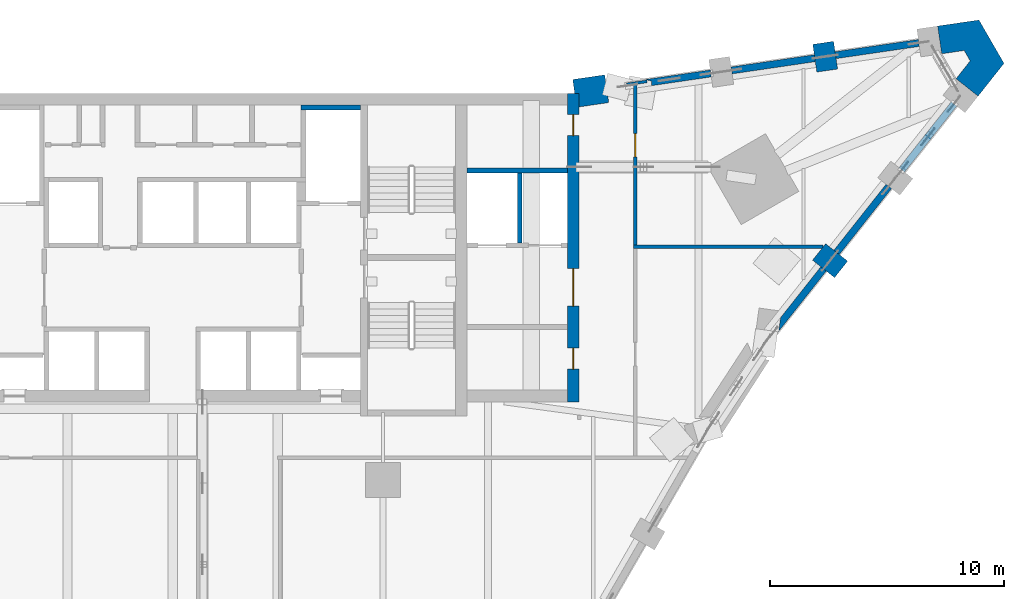
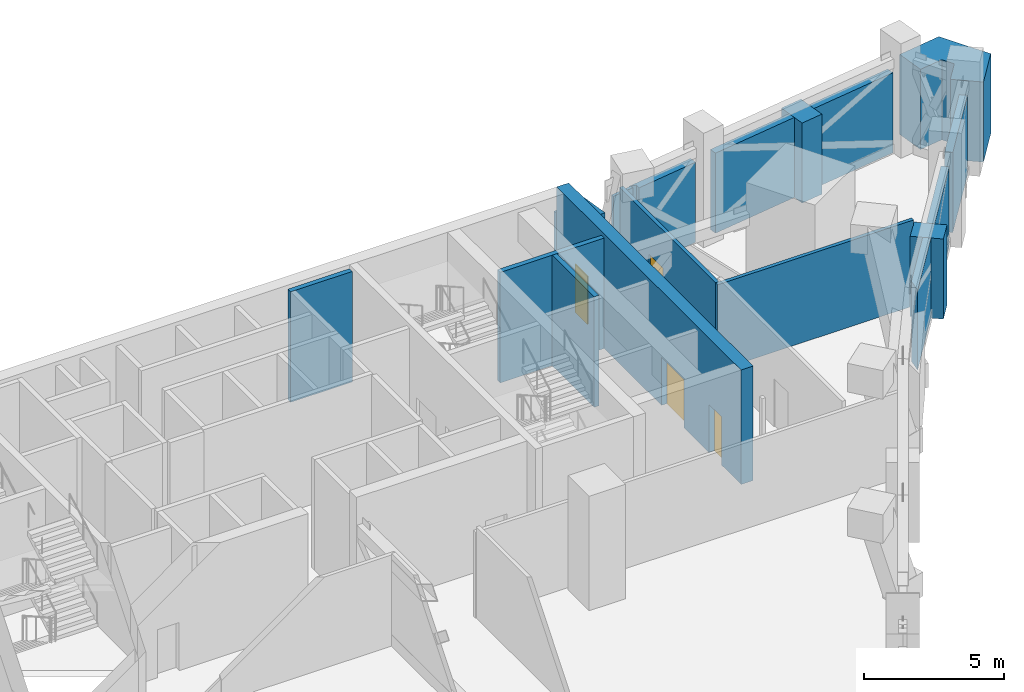
# One storey, part 11 of 20: 17 walls, 4 doors, 4 openings.
"""IFC4 building model written with IfcOpenShell, lengths in metres."""

from ifc_helpers import new_model, si_unit, direction, frame, frame_2d, origin, place, context, subcontext, project, spatial, polyline, rectangle, outline, extrude, material, layer, layer_set, type_object, element, fill, save


model = new_model("IFC4")

# Units and contexts
model_context = context("Model", 3, precision=1e-05, world=origin(), true_north=direction((0.0, 1.0)))
body_context = subcontext(model_context, "Body", "Model", "MODEL_VIEW")
ifc_project = project(units=[si_unit("LENGTHUNIT", "METRE"), si_unit("AREAUNIT", "SQUARE_METRE"), si_unit("VOLUMEUNIT", "CUBIC_METRE"), si_unit("PLANEANGLEUNIT", "RADIAN"), si_unit("MASSUNIT", "GRAM", prefix="KILO")], contexts=[model_context])

# Site, building, storey
site_placement = place(None, origin())
site = spatial("IfcSite", under=ifc_project, at=site_placement, CompositionType="ELEMENT")
building_placement = place(site_placement, origin())
building = spatial("IfcBuilding", under=site, at=building_placement, Name="Calabash Gate Tower", CompositionType="ELEMENT")
storey_placement = place(building_placement, frame((0.0, 0.0, 139.60009765625)))
storey = spatial("IfcBuildingStorey", under=building, at=storey_placement, Name="L32", CompositionType="ELEMENT", Elevation=139.60009765625)

# Walls
ifc_material_1 = material(Name="Terracotta brick masonry, exposed face", Category="masonry")
ifc_layer_1 = layer(ifc_material_1, 1.199951171875)
ifc_layer_set_1 = layer_set([ifc_layer_1], Name="Brick end wall 1200")
wall_type_1 = type_object("IfcWallType", Name="Brick end wall 1200", PredefinedType="SOLIDWALL", material=ifc_layer_set_1)
wall_1_placement = place(storey_placement, frame((28.6083984375, 11.5224609375, 0.0), z_axis=(0.0, 0.0, 1.0), x_axis=(-0.784408686564, 0.620244316736, 0.0)))
element("IfcWall", 1, at=wall_1_placement, inside=storey, type_object=wall_type_1, Name="Brick pier L32 wedge5.1", PredefinedType="SOLIDWALL", context=body_context, shape_type="SweptSolid", body=[
    extrude(rectangle(XDim=1.2001953125, YDim=0.89990234375, at=frame_2d((0.60009765625, 0.0))), origin(), (0.0, 0.0, 1.0), 3.5),
])
wall_2_placement = place(storey_placement, frame((27.84033203125, 21.217041015625, 0.0), z_axis=(0.0, 0.0, 1.0), x_axis=(0.145066385332, -0.989421924078, 0.0)))
element("IfcWall", 2, at=wall_2_placement, inside=storey, type_object=wall_type_1, Name="Brick pier L32 wedge7.1", PredefinedType="SOLIDWALL", context=body_context, shape_type="SweptSolid", body=[
    extrude(rectangle(XDim=1.199951171875, YDim=0.89990234375, at=frame_2d((0.60009765625, 0.0))), origin(), (0.0, 0.0, 1.0), 3.5),
])
wall_3_placement = place(storey_placement, origin())
element("IfcWall", 3, at=wall_3_placement, inside=storey, type_object=wall_type_1, Name="Brick end wall L32 5", PredefinedType="SOLIDWALL", context=body_context, shape_type="SweptSolid", body=[
    extrude(outline(polyline([(33.52880859375, 19.678955078125), (34.47021484375, 18.9345703125), (35.579833984375, 20.337890625), (34.50830078125, 22.1943359375), (32.73828125, 21.934814453125), (32.912109375, 20.74755859375), (33.876220703125, 20.888916015625), (34.13330078125, 20.443359375), (33.52880859375, 19.678955078125)])), origin(), (0.0, 0.0, 1.0), 3.5),
])
wall_4_placement = place(storey_placement, origin())
element("IfcWall", 4, at=wall_4_placement, inside=storey, type_object=wall_type_1, Name="Brick end wall L32 6", PredefinedType="SOLIDWALL", context=body_context, shape_type="SweptSolid", body=[
    extrude(outline(polyline([(18.664306640625, 18.6591796875), (18.490234375, 19.8466796875), (17.123046875, 19.646240234375), (17.2099609375, 19.052490234375), (17.39990234375, 19.052490234375), (17.39990234375, 18.473876953125), (18.664306640625, 18.6591796875)])), origin(), (0.0, 0.0, 1.0), 3.5),
])

# Wall, openings, doors
ifc_material_2 = material(Name="Concrete C80/95", Category="concrete")
ifc_layer_2 = layer(ifc_material_2, 0.5)
ifc_layer_set_2 = layer_set([ifc_layer_2], Name="Core wall 500 Concrete C80/95")
wall_type_2 = type_object("IfcWallType", Name="Core wall 500 Concrete C80/95", PredefinedType="SHEAR", material=ifc_layer_set_2)
wall_5_placement = place(storey_placement, frame((17.14990234375, 5.8525390625, 0.0), z_axis=(0.0, 0.0, 1.0), x_axis=(0.0, 1.0, 0.0)))
wall_5 = element("IfcWall", 5, at=wall_5_placement, inside=storey, type_object=wall_type_2, Name="Core wall Z2-ENDE L32", PredefinedType="SHEAR", context=body_context, shape_type="SweptSolid", body=[
    extrude(rectangle(XDim=13.199951171875, YDim=0.5, at=frame_2d((6.60009765625, 0.0))), origin(), (0.0, 0.0, 1.0), 5.0),
])
opening_1_placement = place(wall_5_placement, frame((4.10009765625, 0.0, 0.0)))
opening_1 = element("IfcOpeningElement", 6, at=opening_1_placement, cuts=wall_5, Name="Opening L32-018", PredefinedType="OPENING", context=body_context, shape_type="SweptSolid", body=[
    extrude(rectangle(XDim=1.60009765625, YDim=2.10009765625, at=frame_2d((0.800048828125, 1.050048828125))), frame((0.0, 0.260009765625, 0.0), z_axis=(0.0, -1.0, 0.0), x_axis=(1.0, 0.0, 0.0)), (0.0, 0.0, 1.0), 0.52001953125),
])
opening_2_placement = place(wall_5_placement, frame((1.39990234375, 0.0, 0.0)))
opening_2 = element("IfcOpeningElement", 7, at=opening_2_placement, cuts=wall_5, Name="Opening L32-019", PredefinedType="OPENING", context=body_context, shape_type="SweptSolid", body=[
    extrude(rectangle(XDim=0.89990234375, YDim=2.10009765625, at=frame_2d((0.449951171875, 1.050048828125))), frame((0.0, 0.260009765625, 0.0), z_axis=(0.0, -1.0, 0.0), x_axis=(1.0, 0.0, 0.0)), (0.0, 0.0, 1.0), 0.52001953125),
])
opening_3_placement = place(wall_5_placement, frame((11.3974609375, 0.0, 0.0)))
opening_3 = element("IfcOpeningElement", 8, at=opening_3_placement, cuts=wall_5, Name="Opening L32-020", PredefinedType="OPENING", context=body_context, shape_type="SweptSolid", body=[
    extrude(rectangle(XDim=0.89990234375, YDim=2.10009765625, at=frame_2d((0.449951171875, 1.050048828125))), frame((0.0, 0.260009765625, 0.0), z_axis=(0.0, -1.0, 0.0), x_axis=(1.0, 0.0, 0.0)), (0.0, 0.0, 1.0), 0.52001953125),
])
ifc_material_3 = material(Name="Steel fire door set with fire-resisting glazing", Category="steel")
door_type_1 = type_object("IfcDoorType", Name="Double fire door D08 1600x2100 FD60", OperationType="DOUBLE_DOOR_SINGLE_SWING", PredefinedType="DOOR", material=ifc_material_3)
door_1_placement = place(opening_1_placement, origin())
door_1 = element("IfcDoor", 9, at=door_1_placement, inside=storey, type_object=door_type_1, Name="Service Lift Lobby E door", OperationType="DOUBLE_DOOR_SINGLE_SWING", OverallHeight=2.10009765625, OverallWidth=1.60009765625, PredefinedType="DOOR", context=body_context, shape_type="SweptSolid", body=[
    extrude(rectangle(XDim=1.60009765625, YDim=2.10009765625, at=frame_2d((0.800048828125, 1.050048828125))), frame((0.0, 0.02490234375, 0.0), z_axis=(0.0, -1.0, 0.0), x_axis=(1.0, 0.0, 0.0)), (0.0, 0.0, 1.0), 0.050048828125),
])
fill(opening_1, door_1)
ifc_material_4 = material(Name="Steel fire door set with fire-resisting glazing", Category="steel")
door_type_2 = type_object("IfcDoorType", Name="Fire door D06 900x2100 FD60", OperationType="NOTDEFINED", PredefinedType="DOOR", material=ifc_material_4)
door_2_placement = place(opening_2_placement, origin())
door_2 = element("IfcDoor", 10, at=door_2_placement, inside=storey, type_object=door_type_2, Name="Mechanical Fan Room door", OperationType="SINGLE_SWING_RIGHT", OverallHeight=2.10009765625, OverallWidth=0.89990234375, PredefinedType="DOOR", context=body_context, shape_type="SweptSolid", body=[
    extrude(rectangle(XDim=0.89990234375, YDim=2.10009765625, at=frame_2d((0.449951171875, 1.050048828125))), frame((0.0, 0.02490234375, 0.0), z_axis=(0.0, -1.0, 0.0), x_axis=(1.0, 0.0, 0.0)), (0.0, 0.0, 1.0), 0.050048828125),
])
fill(opening_2, door_2)
door_3_placement = place(opening_3_placement, origin())
door_3 = element("IfcDoor", 11, at=door_3_placement, inside=storey, type_object=door_type_2, Name="Smoke Extract Plant door", OperationType="SINGLE_SWING_LEFT", OverallHeight=2.10009765625, OverallWidth=0.89990234375, PredefinedType="DOOR", context=body_context, shape_type="SweptSolid", body=[
    extrude(rectangle(XDim=0.89990234375, YDim=2.10009765625, at=frame_2d((0.449951171875, 1.050048828125))), frame((0.0, 0.02490234375, 0.0), z_axis=(0.0, -1.0, 0.0), x_axis=(1.0, 0.0, 0.0)), (0.0, 0.0, 1.0), 0.050048828125),
])
fill(opening_3, door_3)

# Wall
ifc_material_5 = material(Name="Gypsum board on steel studs, mineral wool", Category="steel")
ifc_layer_3 = layer(ifc_material_5, 0.14990234375)
ifc_layer_set_3 = layer_set([ifc_layer_3], Name="Partition 150 gypsum board")
wall_type_3 = type_object("IfcWallType", Name="Partition 150 gypsum board", PredefinedType="PARTITIONING", material=ifc_layer_set_3)
wall_6_placement = place(storey_placement, frame((19.72509765625, 12.4970703125, 0.0), z_axis=(0.0, 0.0, 1.0), x_axis=(1.0, 0.0, 0.0)))
element("IfcWall", 12, at=wall_6_placement, inside=storey, type_object=wall_type_3, Name="Partition", PredefinedType="PARTITIONING", context=body_context, shape_type="SweptSolid", body=[
    extrude(rectangle(XDim=8.098388671875, YDim=0.14990234375, at=frame_2d((4.04931640625, 0.0))), origin(), (0.0, 0.0, 1.0), 3.751953125),
])

# Wall, opening, door
wall_7_placement = place(storey_placement, frame((19.800048828125, 12.572021484375, 0.0), z_axis=(0.0, 0.0, 1.0), x_axis=(0.0, 1.0, 0.0)))
wall_7 = element("IfcWall", 13, at=wall_7_placement, inside=storey, type_object=wall_type_3, Name="Partition", PredefinedType="PARTITIONING", context=body_context, shape_type="SweptSolid", body=[
    extrude(rectangle(XDim=6.880126953125, YDim=0.14990234375, at=frame_2d((3.43994140625, 0.0))), origin(), (0.0, 0.0, 1.0), 3.751953125),
])
opening_4_placement = place(wall_7_placement, frame((3.76025390625, 0.0, 0.0)))
opening_4 = element("IfcOpeningElement", 14, at=opening_4_placement, cuts=wall_7, Name="Opening L32-023", PredefinedType="OPENING", context=body_context, shape_type="SweptSolid", body=[
    extrude(rectangle(XDim=1.0, YDim=2.10009765625, at=frame_2d((0.5, 1.050048828125))), frame((0.0, 0.0849609375, 0.0), z_axis=(0.0, -1.0, 0.0), x_axis=(1.0, 0.0, 0.0)), (0.0, 0.0, 1.0), 0.169921875),
])
ifc_material_6 = material(Name="Steel fire door set with fire-resisting glazing", Category="steel")
door_type_3 = type_object("IfcDoorType", Name="Fire door D11 1000x2100 FD60", OperationType="NOTDEFINED", PredefinedType="DOOR", material=ifc_material_6)
door_4_placement = place(opening_4_placement, origin())
door_4 = element("IfcDoor", 15, at=door_4_placement, inside=storey, type_object=door_type_3, Name="Heat Exchanger Plant Room door", OperationType="SINGLE_SWING_LEFT", OverallHeight=2.10009765625, OverallWidth=1.0, PredefinedType="DOOR", context=body_context, shape_type="SweptSolid", body=[
    extrude(rectangle(XDim=1.0, YDim=2.10009765625, at=frame_2d((0.5, 1.050048828125))), frame((0.0, 0.02490234375, 0.0), z_axis=(0.0, -1.0, 0.0), x_axis=(1.0, 0.0, 0.0)), (0.0, 0.0, 1.0), 0.050048828125),
])
fill(opening_4, door_4)

# Walls
ifc_material_7 = material(Name="Concrete C40/50", Category="concrete")
ifc_layer_4 = layer(ifc_material_7, 0.199951171875)
ifc_layer_set_4 = layer_set([ifc_layer_4], Name="Shaft wall 200 Concrete C40/50")
wall_type_4 = type_object("IfcWallType", Name="Shaft wall 200 Concrete C40/50", PredefinedType="SOLIDWALL", material=ifc_layer_set_4)
wall_8_placement = place(storey_placement, frame((14.85009765625, 12.652587890625, 0.0), z_axis=(0.0, 0.0, 1.0), x_axis=(0.0, 1.0, 0.0)))
element("IfcWall", 16, at=wall_8_placement, inside=storey, type_object=wall_type_4, Name="Shaft wall", PredefinedType="SOLIDWALL", context=body_context, shape_type="SweptSolid", body=[
    extrude(rectangle(XDim=3.0, YDim=0.199951171875, at=frame_2d((1.5, 0.0))), origin(), (0.0, 0.0, 1.0), 4.829833984375),
])
wall_9_placement = place(storey_placement, frame((12.60009765625, 15.752685546875, 0.0), z_axis=(0.0, 0.0, 1.0), x_axis=(1.0, 0.0, 0.0)))
element("IfcWall", 17, at=wall_9_placement, inside=storey, type_object=wall_type_4, Name="Shaft wall", PredefinedType="SOLIDWALL", context=body_context, shape_type="SweptSolid", body=[
    extrude(rectangle(XDim=4.2998046875, YDim=0.199951171875, at=frame_2d((2.14990234375, 0.0))), origin(), (0.0, 0.0, 1.0), 4.829833984375),
])
wall_10_placement = place(storey_placement, frame((5.5, 18.45263671875, 0.0), z_axis=(0.0, 0.0, 1.0), x_axis=(1.0, 0.0, 0.0)))
element("IfcWall", 18, at=wall_10_placement, inside=storey, type_object=wall_type_4, Name="Shaft wall", PredefinedType="SOLIDWALL", context=body_context, shape_type="SweptSolid", body=[
    extrude(rectangle(XDim=2.550048828125, YDim=0.199951171875, at=frame_2d((1.27490234375, 0.0))), origin(), (0.0, 0.0, 1.0), 4.829833984375),
])
ifc_material_8 = material(Name="Terracotta brick masonry, perforated", Category="masonry")
ifc_layer_5 = layer(ifc_material_8, 0.1201171875)
ifc_layer_set_5 = layer_set([ifc_layer_5], Name="Terracotta jaali cladding A 120")
wall_type_5 = type_object("IfcWallType", Name="Terracotta jaali cladding A 120", PredefinedType="SOLIDWALL", material=ifc_layer_set_5)
wall_11_placement = place(storey_placement, frame((19.421142578125, 19.437255859375, 0.0), z_axis=(0.0, 0.0, 1.0), x_axis=(0.989415964501, 0.145107026676, 0.0)))
element("IfcWall", 19, at=wall_11_placement, inside=storey, type_object=wall_type_5, Name="Jaali cladding L32 wedge7.c10", PredefinedType="SOLIDWALL", context=body_context, shape_type="SweptSolid", body=[
    extrude(rectangle(XDim=0.89013671875, YDim=0.1201171875, at=frame_2d((0.445068359375, 0.0))), origin(), (0.0, 0.0, 1.0), 3.5),
])
ifc_material_9 = material(Name="Terracotta louvre blades in an aluminium frame", Category="masonry")
ifc_layer_6 = layer(ifc_material_9, 0.300048828125)
ifc_layer_set_6 = layer_set([ifc_layer_6], Name="Terracotta louvre wall 300")
wall_type_6 = type_object("IfcWallType", Name="Terracotta louvre wall 300", PredefinedType="ELEMENTEDWALL", material=ifc_layer_set_6)
wall_12_placement = place(storey_placement, origin())
element("IfcWall", 20, at=wall_12_placement, inside=storey, type_object=wall_type_6, Name="LOUVRE L32 wedge5.1", PredefinedType="ELEMENTEDWALL", context=body_context, shape_type="SweptSolid", body=[
    extrude(outline(polyline([(27.740966796875, 11.634765625), (26.017822265625, 9.455810546875), (25.937744140625, 8.870849609375), (27.976318359375, 11.44873046875), (27.740966796875, 11.634765625)])), origin(), (0.0, 0.0, 1.0), 3.5),
])
wall_13_placement = place(storey_placement, frame((28.416748046875, 12.24755859375, 0.0), z_axis=(0.0, 0.0, 1.0), x_axis=(0.620310302622, 0.784356505972, 0.0)))
element("IfcWall", 21, at=wall_13_placement, inside=storey, type_object=wall_type_6, Name="LOUVRE L32 wedge5.2", PredefinedType="ELEMENTEDWALL", context=body_context, shape_type="SweptSolid", body=[
    extrude(rectangle(XDim=3.60009765625, YDim=0.300048828125, at=frame_2d((1.800048828125, 0.0))), origin(), (0.0, 0.0, 1.0), 3.5),
])
wall_14_placement = place(storey_placement, frame((31.208251953125, 15.77734375, 0.0), z_axis=(0.0, 0.0, 1.0), x_axis=(0.620301575857, 0.784363407477, 0.0)))
element("IfcWall", 22, at=wall_14_placement, inside=storey, type_object=wall_type_6, Name="LOUVRE L32 wedge5.3", PredefinedType="ELEMENTEDWALL", context=body_context, shape_type="SweptSolid", body=[
    extrude(rectangle(XDim=3.599609375, YDim=0.300048828125, at=frame_2d((1.7998046875, 0.0))), origin(), (0.0, 0.0, 1.0), 3.5),
])
wall_15_placement = place(storey_placement, frame((31.9345703125, 21.210693359375, 0.0), z_axis=(0.0, 0.0, 1.0), x_axis=(-0.98942335115, -0.145056651687, 0.0)))
element("IfcWall", 23, at=wall_15_placement, inside=storey, type_object=wall_type_6, Name="LOUVRE L32 wedge7.1", PredefinedType="ELEMENTEDWALL", context=body_context, shape_type="SweptSolid", body=[
    extrude(rectangle(XDim=3.60009765625, YDim=0.300048828125, at=frame_2d((1.800048828125, 0.0))), origin(), (0.0, 0.0, 1.0), 3.5),
])
wall_16_placement = place(storey_placement, origin())
element("IfcWall", 24, at=wall_16_placement, inside=storey, type_object=wall_type_6, Name="LOUVRE L32 wedge7.2", PredefinedType="ELEMENTEDWALL", context=body_context, shape_type="SweptSolid", body=[
    extrude(outline(polyline([(27.46044921875, 20.70654296875), (23.900390625, 20.184814453125), (23.944091796875, 19.887939453125), (27.50390625, 20.40966796875), (27.46044921875, 20.70654296875)])), origin(), (0.0, 0.0, 1.0), 3.5),
])
wall_17_placement = place(storey_placement, origin())
element("IfcWall", 25, at=wall_17_placement, inside=storey, type_object=wall_type_6, Name="LOUVRE L32 wedge7.3", PredefinedType="ELEMENTEDWALL", context=body_context, shape_type="SweptSolid", body=[
    extrude(outline(polyline([(23.008056640625, 20.053955078125), (20.230712890625, 19.64697265625), (20.4970703125, 19.577880859375), (20.4970703125, 19.3828125), (23.051513671875, 19.757080078125), (23.008056640625, 20.053955078125)])), origin(), (0.0, 0.0, 1.0), 3.5),
])

save(model, "model.ifc")
